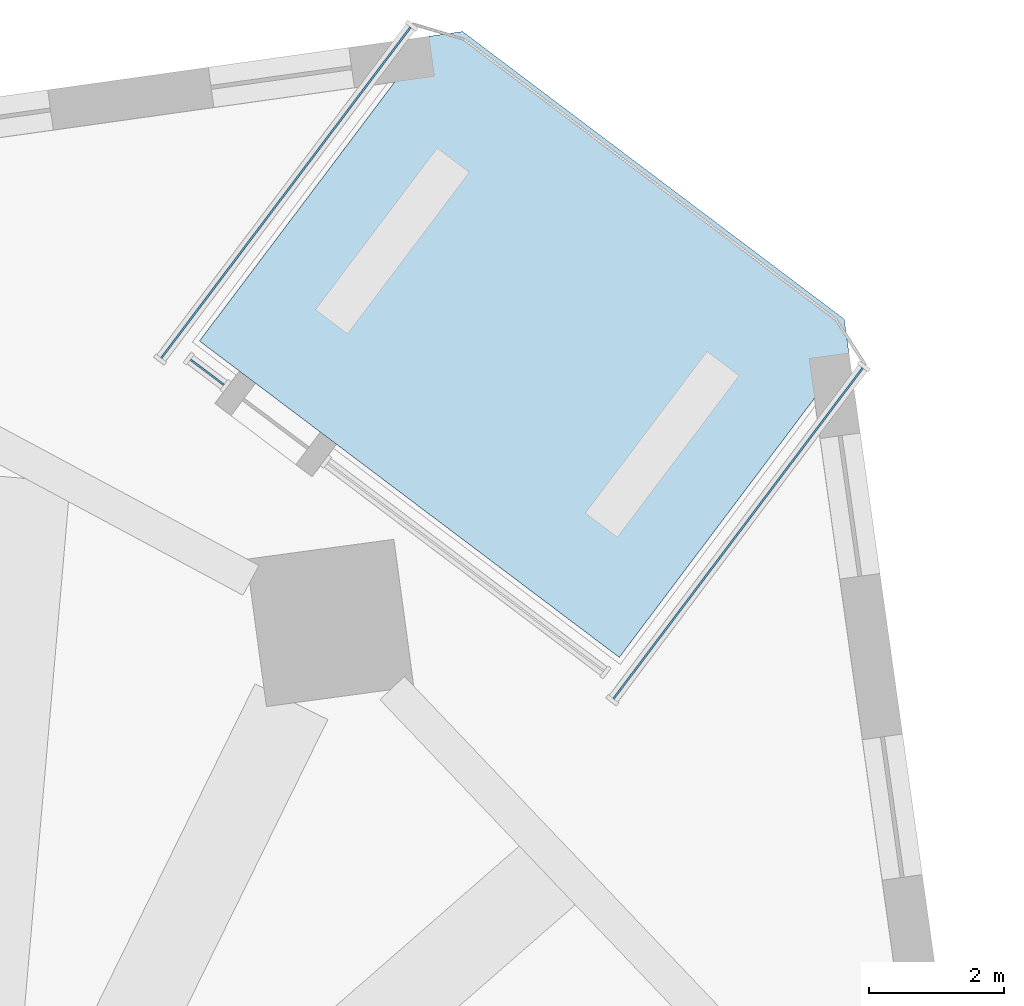
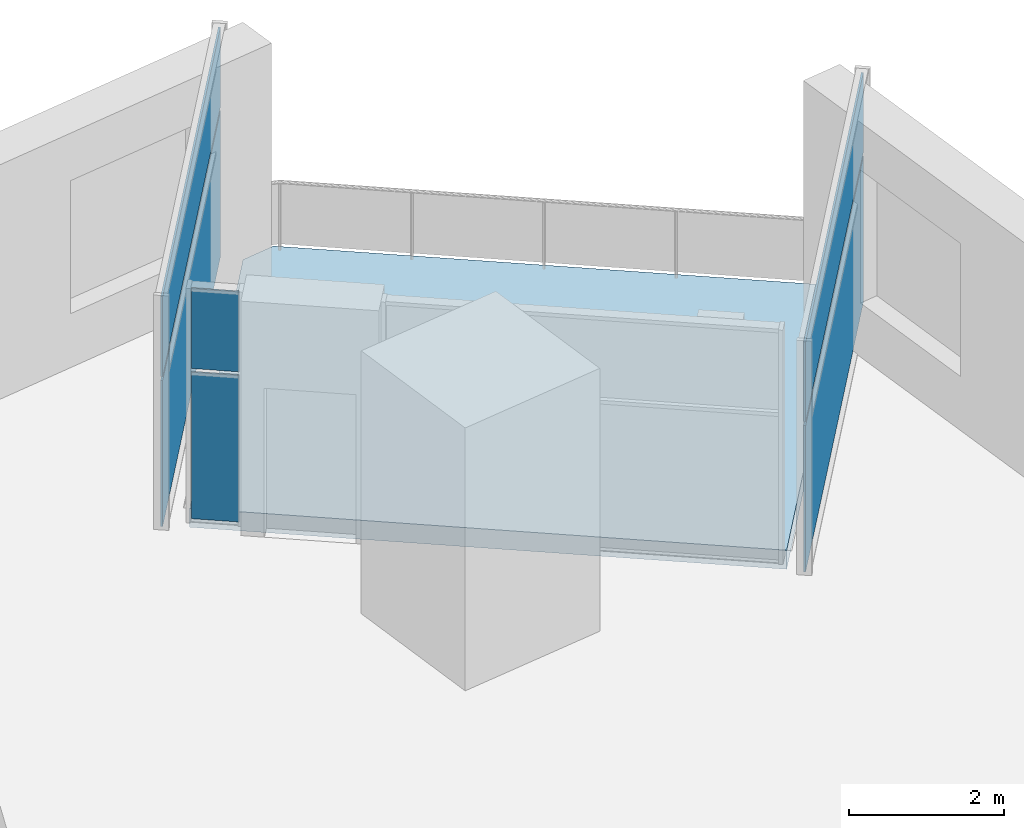
# One storey, part 4 of 12: 6 plates, 1 slab, 3 elements without a shape of their own.
"""IFC4 building model written with IfcOpenShell, lengths in metres."""

from ifc_helpers import new_model, si_unit, direction, frame, origin, origin_2d, place, context, subcontext, project, spatial, polyline, rectangle, outline, extrude, material, layer, layer_set, type_object, element, aggregate, save


model = new_model("IFC4")

# Units and contexts
model_context = context("Model", 3, precision=1e-05, world=origin(), true_north=direction((0.0, 1.0)))
body_context = subcontext(model_context, "Body", "Model", "MODEL_VIEW")
ifc_project = project(units=[si_unit("LENGTHUNIT", "METRE"), si_unit("AREAUNIT", "SQUARE_METRE"), si_unit("VOLUMEUNIT", "CUBIC_METRE"), si_unit("PLANEANGLEUNIT", "RADIAN"), si_unit("MASSUNIT", "GRAM", prefix="KILO")], contexts=[model_context])

# Site, building, storey
site_placement = place(None, origin())
site = spatial("IfcSite", under=ifc_project, at=site_placement, CompositionType="ELEMENT")
building_placement = place(site_placement, origin())
building = spatial("IfcBuilding", under=site, at=building_placement, Name="Dilmun Exchange Tower", CompositionType="ELEMENT")
storey_placement = place(building_placement, frame((0.0, 0.0, 51.300048828125)))
storey = spatial("IfcBuildingStorey", under=building, at=storey_placement, Name="L11", CompositionType="ELEMENT", Elevation=51.300048828125)

# Curtain wall, plates
ifc_material_1 = material(Name="Anodised aluminium and clear glass", Category="aluminium")
curtain_wall_type = type_object("IfcCurtainWallType", Name="Garden corner glazing", PredefinedType="NOTDEFINED", material=ifc_material_1)
curtain_wall_1_placement = place(storey_placement, origin())
curtain_wall_1 = element("IfcCurtainWall", 1, at=curtain_wall_1_placement, inside=storey, type_object=curtain_wall_type, Name="Garden corner glazing run GC1.1", PredefinedType="NOTDEFINED")
ifc_material_2 = material(Name="Clear glass", Category="glass")
ifc_layer_1 = layer(ifc_material_2, 0.028076171875)
ifc_layer_set_1 = layer_set([ifc_layer_1], Name="Clear glass")
plate_type = type_object("IfcPlateType", Name="Garden corner glazing glass panel 28", PredefinedType="CURTAIN_PANEL", material=ifc_layer_set_1)
plate_1_placement = place(storey_placement, frame((24.658203125, 25.761962890625, 0.059814453125), z_axis=(0.0, 0.0, 1.0), x_axis=(-0.601817092465, -0.798633950704, 0.0)))
plate_1 = element("IfcPlate", 2, at=plate_1_placement, type_object=plate_type, Name="GC1.1 panel 1.1", PredefinedType="CURTAIN_PANEL", context=body_context, shape_type="SweptSolid", body=[
    extrude(rectangle(XDim=6.12646484375, YDim=0.028076171875, at=origin_2d()), origin(), (0.0, 0.0, 1.0), 2.31005859375),
])
plate_2_placement = place(storey_placement, frame((24.658203125, 25.761962890625, 2.43017578125), z_axis=(0.0, 0.0, 1.0), x_axis=(-0.601817092465, -0.798633950704, 0.0)))
plate_2 = element("IfcPlate", 3, at=plate_2_placement, type_object=plate_type, Name="GC1.1 panel 1.2", PredefinedType="CURTAIN_PANEL", context=body_context, shape_type="SweptSolid", body=[
    extrude(rectangle(XDim=6.12646484375, YDim=0.028076171875, at=origin_2d()), origin(), (0.0, 0.0, 1.0), 1.260009765625),
])
aggregate(curtain_wall_1, [plate_1, plate_2])

curtain_wall_2_placement = place(storey_placement, origin())
curtain_wall_2 = element("IfcCurtainWall", 4, at=curtain_wall_2_placement, inside=storey, type_object=curtain_wall_type, Name="Garden corner glazing run GC2.3", PredefinedType="NOTDEFINED")
plate_3_placement = place(storey_placement, frame((16.802734375, 28.146240234375, 0.059814453125), z_axis=(0.0, 0.0, 1.0), x_axis=(-0.798650437321, 0.60179521348, 0.0)))
plate_3 = element("IfcPlate", 5, at=plate_3_placement, type_object=plate_type, Name="GC2.3 panel 1.1", PredefinedType="CURTAIN_PANEL", context=body_context, shape_type="SweptSolid", body=[
    extrude(rectangle(XDim=0.619140625, YDim=0.028076171875, at=origin_2d()), origin(), (0.0, 0.0, 1.0), 2.31005859375),
])
plate_4_placement = place(storey_placement, frame((16.802734375, 28.146240234375, 2.43017578125), z_axis=(0.0, 0.0, 1.0), x_axis=(-0.798650437321, 0.60179521348, 0.0)))
plate_4 = element("IfcPlate", 6, at=plate_4_placement, type_object=plate_type, Name="GC2.3 panel 1.2", PredefinedType="CURTAIN_PANEL", context=body_context, shape_type="SweptSolid", body=[
    extrude(rectangle(XDim=0.619140625, YDim=0.028076171875, at=origin_2d()), origin(), (0.0, 0.0, 1.0), 1.260009765625),
])
aggregate(curtain_wall_2, [plate_3, plate_4])

curtain_wall_3_placement = place(storey_placement, origin())
curtain_wall_3 = element("IfcCurtainWall", 7, at=curtain_wall_3_placement, inside=storey, type_object=curtain_wall_type, Name="Garden corner glazing run GC3.1", PredefinedType="NOTDEFINED")
plate_5_placement = place(storey_placement, frame((17.96728515625, 30.803955078125, 0.059814453125), z_axis=(0.0, 0.0, 1.0), x_axis=(0.601817092465, 0.798633950704, 0.0)))
plate_5 = element("IfcPlate", 8, at=plate_5_placement, type_object=plate_type, Name="GC3.1 panel 1.1", PredefinedType="CURTAIN_PANEL", context=body_context, shape_type="SweptSolid", body=[
    extrude(rectangle(XDim=6.12646484375, YDim=0.028076171875, at=origin_2d()), origin(), (0.0, 0.0, 1.0), 2.31005859375),
])
plate_6_placement = place(storey_placement, frame((17.96728515625, 30.803955078125, 2.43017578125), z_axis=(0.0, 0.0, 1.0), x_axis=(0.601817092465, 0.798633950704, 0.0)))
plate_6 = element("IfcPlate", 9, at=plate_6_placement, type_object=plate_type, Name="GC3.1 panel 1.2", PredefinedType="CURTAIN_PANEL", context=body_context, shape_type="SweptSolid", body=[
    extrude(rectangle(XDim=6.12646484375, YDim=0.028076171875, at=origin_2d()), origin(), (0.0, 0.0, 1.0), 1.260009765625),
])
aggregate(curtain_wall_3, [plate_5, plate_6])

# Slab
ifc_material_3 = material(Name="Concrete C40/50", Category="concrete")
ifc_layer_2 = layer(ifc_material_3, 0.300048828125)
ifc_layer_set_2 = layer_set([ifc_layer_2], Name="Concrete C40/50")
slab_type = type_object("IfcSlabType", Name="RC garden terrace slab 300", PredefinedType="FLOOR", material=ifc_layer_set_2)
slab_placement = place(storey_placement, frame((0.0, 0.0, -0.300048828125)))
element("IfcSlab", 10, at=slab_placement, inside=storey, type_object=slab_type, Name="Garden terrace slab", PredefinedType="FLOOR", context=body_context, shape_type="SweptSolid", body=[
    extrude(outline(polyline([(16.688232421875, 28.6083984375), (20.08642578125, 33.117919921875), (20.58154296875, 33.1875), (26.228759765625, 28.931884765625), (26.29833984375, 28.436767578125), (22.900146484375, 23.92724609375), (16.688232421875, 28.6083984375)])), origin(), (0.0, 0.0, 1.0), 0.300048828125),
])

save(model, "model.ifc")
